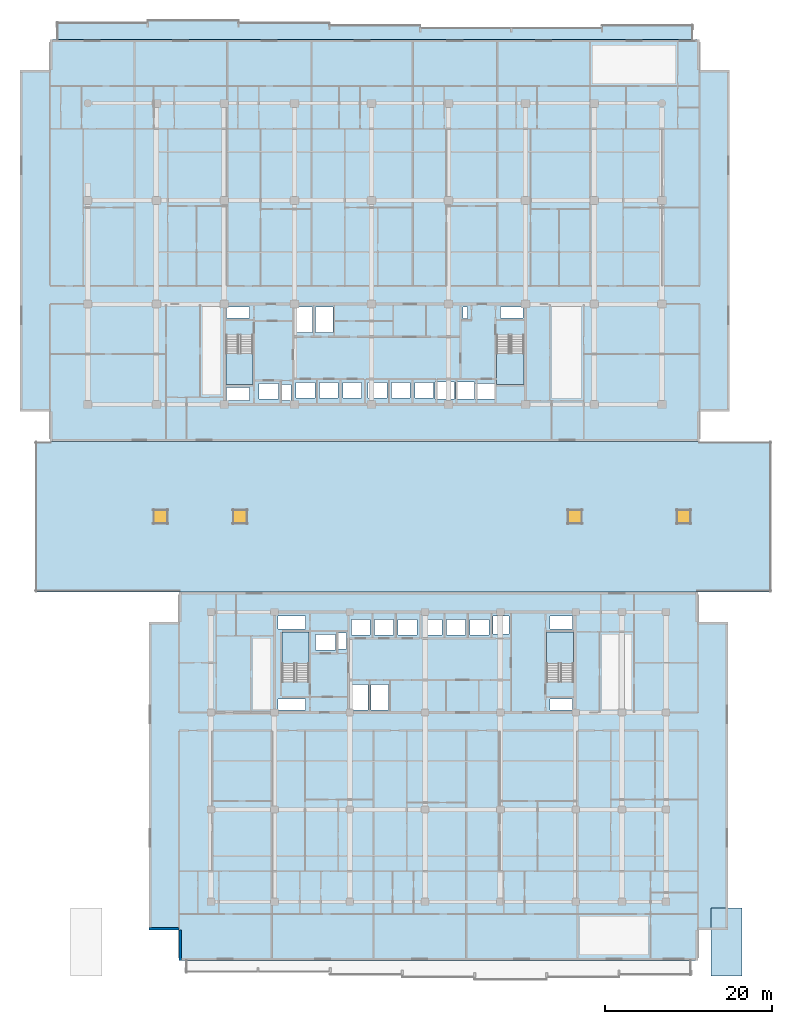
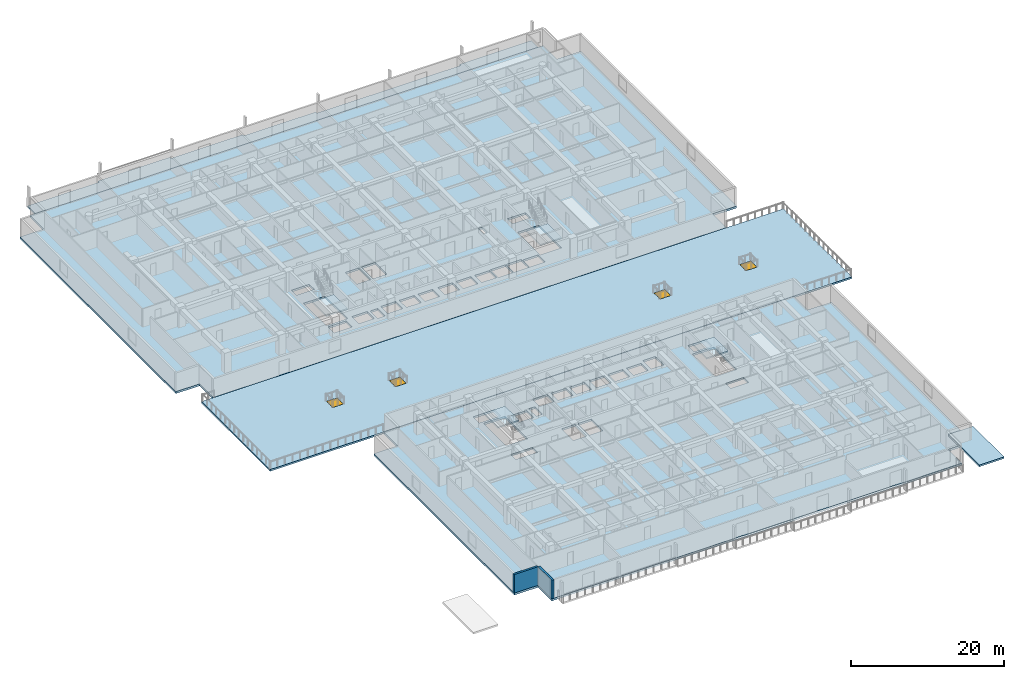
# One storey, part 3 of 24: 9 slabs, 4 windows, 2 walls, 4 openings, 4 elements without a shape of their own.
"""IFC4 building model written with IfcOpenShell, lengths in metres."""

from ifc_helpers import new_model, si_unit, direction, frame, frame_2d, origin, origin_2d, place, context, subcontext, project, spatial, polyline, rectangle, outline, extrude, material, layer, layer_set, type_object, element, fill, aggregate, save


model = new_model("IFC4")

# Units and contexts
model_context = context("Model", 3, precision=1e-05, world=origin(), true_north=direction((0.0, 1.0)))
body_context = subcontext(model_context, "Body", "Model", "MODEL_VIEW")
ifc_project = project(units=[si_unit("LENGTHUNIT", "METRE"), si_unit("AREAUNIT", "SQUARE_METRE"), si_unit("VOLUMEUNIT", "CUBIC_METRE"), si_unit("PLANEANGLEUNIT", "RADIAN"), si_unit("MASSUNIT", "GRAM", prefix="KILO")], contexts=[model_context])

# Site, building, storey
site_placement = place(None, origin())
site = spatial("IfcSite", under=ifc_project, at=site_placement, CompositionType="ELEMENT")
building_placement = place(site_placement, origin())
building = spatial("IfcBuilding", under=site, at=building_placement, Name="Korimba Cascade Residences", CompositionType="ELEMENT")
storey_placement = place(building_placement, frame((0.0, 0.0, 24.0)))
storey = spatial("IfcBuildingStorey", under=building, at=storey_placement, Name="L05", CompositionType="ELEMENT", Elevation=24.0)

# Stair, slab
ifc_material_1 = material(Name="Concrete C50/60", Category="concrete")
stair_type_1 = type_object("IfcStairType", Name="STR-W1-18R-1806", PredefinedType="HALF_TURN_STAIR", material=ifc_material_1)
stair_1_placement = place(storey_placement, origin())
stair_1 = element("IfcStair", 1, at=stair_1_placement, inside=storey, type_object=stair_type_1, Name="L05 Tower 1 West Fire Stair ST-W1", PredefinedType="HALF_TURN_STAIR")
ifc_layer_1 = layer(ifc_material_1, 0.199951171875)
ifc_layer_set_1 = layer_set([ifc_layer_1], Name="Concrete C50/60")
slab_type_1 = type_object("IfcSlabType", Name="SLB-LND-220", PredefinedType="LANDING", material=ifc_layer_set_1)
slab_1_placement = place(storey_placement, frame((0.0, 0.0, 1.425048828125)))
slab_1 = element("IfcSlab", 2, at=slab_1_placement, type_object=slab_type_1, Name="ST-W1 landing 1", PredefinedType="LANDING", context=body_context, shape_type="SweptSolid", body=[
    extrude(outline(polyline([(76.300048828125, 61.31005859375), (76.300048828125, 57.60009765625), (79.5400390625, 57.60009765625), (79.5400390625, 61.31005859375), (76.300048828125, 61.31005859375)])), origin(), (0.0, 0.0, 1.0), 0.199951171875),
])
aggregate(stair_1, [slab_1])

stair_type_2 = type_object("IfcStairType", Name="STR-W2-18R-1806", PredefinedType="HALF_TURN_STAIR", material=ifc_material_1)
stair_2_placement = place(storey_placement, origin())
stair_2 = element("IfcStair", 3, at=stair_2_placement, inside=storey, type_object=stair_type_2, Name="L05 Tower 1 East Fire Stair ST-W2", PredefinedType="HALF_TURN_STAIR")
slab_2_placement = place(storey_placement, frame((0.0, 0.0, 1.425048828125)))
slab_2 = element("IfcSlab", 4, at=slab_2_placement, type_object=slab_type_1, Name="ST-W2 landing 1", PredefinedType="LANDING", context=body_context, shape_type="SweptSolid", body=[
    extrude(outline(polyline([(108.659912109375, 61.31005859375), (108.659912109375, 57.60009765625), (111.89990234375, 57.60009765625), (111.89990234375, 61.31005859375), (108.659912109375, 61.31005859375)])), origin(), (0.0, 0.0, 1.0), 0.199951171875),
])
aggregate(stair_2, [slab_2])

stair_type_3 = type_object("IfcStairType", Name="STR-E1-18R-1806", PredefinedType="HALF_TURN_STAIR", material=ifc_material_1)
stair_3_placement = place(storey_placement, origin())
stair_3 = element("IfcStair", 5, at=stair_3_placement, inside=storey, type_object=stair_type_3, Name="L05 Tower 2 West Fire Stair ST-E1", PredefinedType="HALF_TURN_STAIR")
slab_3_placement = place(storey_placement, frame((0.0, 0.0, 1.425048828125)))
slab_3 = element("IfcSlab", 6, at=slab_3_placement, type_object=slab_type_1, Name="ST-E1 landing 1", PredefinedType="LANDING", context=body_context, shape_type="SweptSolid", body=[
    extrude(outline(polyline([(86.239990234375, 24.2900390625), (86.239990234375, 28.0), (83.0, 28.0), (83.0, 24.2900390625), (86.239990234375, 24.2900390625)])), origin(), (0.0, 0.0, 1.0), 0.199951171875),
])
aggregate(stair_3, [slab_3])

stair_type_4 = type_object("IfcStairType", Name="STR-E2-18R-1806", PredefinedType="HALF_TURN_STAIR", material=ifc_material_1)
stair_4_placement = place(storey_placement, origin())
stair_4 = element("IfcStair", 7, at=stair_4_placement, inside=storey, type_object=stair_type_4, Name="L05 Tower 2 East Fire Stair ST-E2", PredefinedType="HALF_TURN_STAIR")
slab_4_placement = place(storey_placement, frame((0.0, 0.0, 1.425048828125)))
slab_4 = element("IfcSlab", 8, at=slab_4_placement, type_object=slab_type_1, Name="ST-E2 landing 1", PredefinedType="LANDING", context=body_context, shape_type="SweptSolid", body=[
    extrude(outline(polyline([(117.840087890625, 24.2900390625), (117.840087890625, 28.0), (114.60009765625, 28.0), (114.60009765625, 24.2900390625), (117.840087890625, 24.2900390625)])), origin(), (0.0, 0.0, 1.0), 0.199951171875),
])
aggregate(stair_4, [slab_4])

# Slab
ifc_material_2 = material(Name="Precast concrete C40/50", Category="concrete")
ifc_layer_2 = layer(ifc_material_2, 0.239990234375)
ifc_layer_set_2 = layer_set([ifc_layer_2], Name="Precast concrete C40/50")
slab_type_2 = type_object("IfcSlabType", Name="SLB-LOG-240", PredefinedType="FLOOR", material=ifc_layer_set_2)
slab_5_placement = place(storey_placement, frame((0.0, 0.0, -0.239990234375)))
element("IfcSlab", 9, at=slab_5_placement, inside=storey, type_object=slab_type_2, Name="L05 Tower 1 North Loggia Slab", PredefinedType="FLOOR", context=body_context, shape_type="SweptSolid", body=[
    extrude(outline(polyline([(56.10009765625, 98.800048828125), (132.10009765625, 98.800048828125), (132.10009765625, 100.550048828125), (121.242919921875, 100.550048828125), (121.242919921875, 100.25), (99.528564453125, 100.25), (99.528564453125, 100.550048828125), (88.67138671875, 100.550048828125), (88.67138671875, 100.85009765625), (77.814208984375, 100.85009765625), (77.814208984375, 101.14990234375), (66.95703125, 101.14990234375), (66.95703125, 100.85009765625), (56.10009765625, 100.85009765625), (56.10009765625, 98.800048828125)])), origin(), (0.0, 0.0, 1.0), 0.239990234375),
])

# Slab, openings, windows
ifc_layer_3 = layer(ifc_material_1, 0.27001953125)
ifc_layer_set_3 = layer_set([ifc_layer_3], Name="Concrete C50/60")
slab_type_3 = type_object("IfcSlabType", Name="SLB-ROOF-270", PredefinedType="ROOF", material=ifc_layer_set_3)
slab_6_placement = place(storey_placement, frame((0.0, 0.0, -0.27001953125)))
slab_6 = element("IfcSlab", 10, at=slab_6_placement, inside=storey, type_object=slab_type_3, Name="L05 Podium Canyon Roof Terrace Slab", PredefinedType="ROOF", context=body_context, shape_type="SweptSolid", body=[
    extrude(outline(polyline([(53.5, 32.820068359375), (141.5, 32.820068359375), (141.5, 50.780029296875), (53.5, 50.780029296875), (53.5, 32.820068359375)])), origin(), (0.0, 0.0, 1.0), 0.27001953125),
])
opening_1_placement = place(slab_6_placement, frame((68.5, 41.800048828125, 0.0)))
opening_1 = element("IfcOpeningElement", 11, at=opening_1_placement, cuts=slab_6, Name="Opening SK-01", PredefinedType="OPENING", context=body_context, shape_type="SweptSolid", body=[
    extrude(rectangle(XDim=1.60009765625, YDim=1.60009765625, at=origin_2d()), frame((0.0, 0.0, -0.010009765625)), (0.0, 0.0, 1.0), 0.2900390625),
])
opening_2_placement = place(slab_6_placement, frame((78.0, 41.800048828125, 0.0)))
opening_2 = element("IfcOpeningElement", 12, at=opening_2_placement, cuts=slab_6, Name="Opening SK-01", PredefinedType="OPENING", context=body_context, shape_type="SweptSolid", body=[
    extrude(rectangle(XDim=1.60009765625, YDim=1.60009765625, at=origin_2d()), frame((0.0, 0.0, -0.010009765625)), (0.0, 0.0, 1.0), 0.2900390625),
])
opening_3_placement = place(slab_6_placement, frame((118.0, 41.800048828125, 0.0)))
opening_3 = element("IfcOpeningElement", 13, at=opening_3_placement, cuts=slab_6, Name="Opening SK-01", PredefinedType="OPENING", context=body_context, shape_type="SweptSolid", body=[
    extrude(rectangle(XDim=1.60009765625, YDim=1.60009765625, at=origin_2d()), frame((0.0, 0.0, -0.010009765625)), (0.0, 0.0, 1.0), 0.2900390625),
])
opening_4_placement = place(slab_6_placement, frame((131.0, 41.800048828125, 0.0)))
opening_4 = element("IfcOpeningElement", 14, at=opening_4_placement, cuts=slab_6, Name="Opening SK-01", PredefinedType="OPENING", context=body_context, shape_type="SweptSolid", body=[
    extrude(rectangle(XDim=1.60009765625, YDim=1.60009765625, at=origin_2d()), frame((0.0, 0.0, -0.010009765625)), (0.0, 0.0, 1.0), 0.2900390625),
])
ifc_material_3 = material(Name="Double-Glazed Aluminium Window", Category="aluminium")
window_type = type_object("IfcWindowType", Name="WIN-SKY-1600", PartitioningType="SINGLE_PANEL", PredefinedType="SKYLIGHT", material=ifc_material_3)
window_1_placement = place(opening_1_placement, frame((0.0, 0.0, 0.219970703125)))
window_1 = element("IfcWindow", 15, at=window_1_placement, inside=storey, type_object=window_type, Name="L05 Canyon Concourse Roof Skylight 1", OverallHeight=1.60009765625, OverallWidth=1.60009765625, PartitioningType="SINGLE_PANEL", PredefinedType="SKYLIGHT", context=body_context, shape_type="SweptSolid", body=[
    extrude(rectangle(XDim=1.60009765625, YDim=1.60009765625, at=origin_2d()), origin(), (0.0, 0.0, 1.0), 0.050048828125),
])
fill(opening_1, window_1)
window_2_placement = place(opening_2_placement, frame((0.0, 0.0, 0.219970703125)))
window_2 = element("IfcWindow", 16, at=window_2_placement, inside=storey, type_object=window_type, Name="L05 Canyon Concourse Roof Skylight 2", OverallHeight=1.60009765625, OverallWidth=1.60009765625, PartitioningType="SINGLE_PANEL", PredefinedType="SKYLIGHT", context=body_context, shape_type="SweptSolid", body=[
    extrude(rectangle(XDim=1.60009765625, YDim=1.60009765625, at=origin_2d()), origin(), (0.0, 0.0, 1.0), 0.050048828125),
])
fill(opening_2, window_2)
window_3_placement = place(opening_3_placement, frame((0.0, 0.0, 0.219970703125)))
window_3 = element("IfcWindow", 17, at=window_3_placement, inside=storey, type_object=window_type, Name="L05 Canyon Concourse Roof Skylight 3", OverallHeight=1.60009765625, OverallWidth=1.60009765625, PartitioningType="SINGLE_PANEL", PredefinedType="SKYLIGHT", context=body_context, shape_type="SweptSolid", body=[
    extrude(rectangle(XDim=1.60009765625, YDim=1.60009765625, at=origin_2d()), origin(), (0.0, 0.0, 1.0), 0.050048828125),
])
fill(opening_3, window_3)
window_4_placement = place(opening_4_placement, frame((0.0, 0.0, 0.219970703125)))
window_4 = element("IfcWindow", 18, at=window_4_placement, inside=storey, type_object=window_type, Name="L05 Canyon Concourse Roof Skylight 4", OverallHeight=1.60009765625, OverallWidth=1.60009765625, PartitioningType="SINGLE_PANEL", PredefinedType="SKYLIGHT", context=body_context, shape_type="SweptSolid", body=[
    extrude(rectangle(XDim=1.60009765625, YDim=1.60009765625, at=origin_2d()), origin(), (0.0, 0.0, 1.0), 0.050048828125),
])
fill(opening_4, window_4)

# Slabs
slab_7_placement = place(storey_placement, origin())
element("IfcSlab", 19, at=slab_7_placement, inside=storey, type_object=slab_type_3, Name="L05 Podium South-East Exit Stair ST-P6 Roof Slab", PredefinedType="ROOF", context=body_context, shape_type="SweptSolid", body=[
    extrude(outline(polyline([(134.25, -13.050048828125), (137.989990234375, -13.050048828125), (137.989990234375, -4.949951171875), (134.25, -4.949951171875), (134.25, -13.050048828125)])), origin(), (0.0, 0.0, 1.0), 0.27001953125),
])
ifc_material_4 = material(Name="Concrete C65/80", Category="concrete")
ifc_layer_4 = layer(ifc_material_4, 0.320068359375)
ifc_layer_set_4 = layer_set([ifc_layer_4], Name="Concrete C65/80")
slab_type_4 = type_object("IfcSlabType", Name="SLB-TRF-320", PredefinedType="FLOOR", material=ifc_layer_set_4)
slab_8_placement = place(storey_placement, frame((0.0, 0.0, -0.320068359375)))
element("IfcSlab", 20, at=slab_8_placement, inside=storey, type_object=slab_type_4, Name="L05 Tower 1 Floor Slab", PredefinedType="FLOOR", context=body_context, shape_type="SweptSolid", body=[
    extrude(outline(polyline([(55.300048828125, 50.800048828125), (132.89990234375, 50.800048828125), (132.89990234375, 54.39990234375), (136.5, 54.39990234375), (136.5, 95.199951171875), (132.89990234375, 95.199951171875), (132.89990234375, 98.800048828125), (55.300048828125, 98.800048828125), (55.300048828125, 95.199951171875), (51.699951171875, 95.199951171875), (51.699951171875, 54.39990234375), (55.300048828125, 54.39990234375), (55.300048828125, 50.800048828125)]), holes=[polyline([(76.300048828125, 63.514892578125), (76.300048828125, 57.60009765625), (79.5400390625, 57.60009765625), (79.5400390625, 63.514892578125), (76.300048828125, 63.514892578125)]), polyline([(108.659912109375, 63.514892578125), (108.659912109375, 57.60009765625), (111.89990234375, 57.60009765625), (111.89990234375, 63.514892578125), (108.659912109375, 63.514892578125)]), polyline([(80.22998046875, 55.8798828125), (82.570068359375, 55.8798828125), (82.570068359375, 57.719970703125), (80.22998046875, 57.719970703125), (80.22998046875, 55.8798828125)]), polyline([(106.080078125, 55.8798828125), (108.419921875, 55.8798828125), (108.419921875, 57.719970703125), (106.080078125, 57.719970703125), (106.080078125, 55.8798828125)]), polyline([(84.679931640625, 55.97998046875), (86.919921875, 55.97998046875), (86.919921875, 57.820068359375), (84.679931640625, 57.820068359375), (84.679931640625, 55.97998046875)]), polyline([(87.47998046875, 55.97998046875), (89.719970703125, 55.97998046875), (89.719970703125, 57.820068359375), (87.47998046875, 57.820068359375), (87.47998046875, 55.97998046875)]), polyline([(90.280029296875, 55.97998046875), (92.52001953125, 55.97998046875), (92.52001953125, 57.820068359375), (90.280029296875, 57.820068359375), (90.280029296875, 55.97998046875)]), polyline([(93.280029296875, 55.97998046875), (95.52001953125, 55.97998046875), (95.52001953125, 57.820068359375), (93.280029296875, 57.820068359375), (93.280029296875, 55.97998046875)]), polyline([(96.080078125, 55.97998046875), (98.320068359375, 55.97998046875), (98.320068359375, 57.820068359375), (96.080078125, 57.820068359375), (96.080078125, 55.97998046875)]), polyline([(98.8798828125, 55.97998046875), (101.1201171875, 55.97998046875), (101.1201171875, 57.820068359375), (98.8798828125, 57.820068359375), (98.8798828125, 55.97998046875)]), polyline([(101.304931640625, 55.8798828125), (103.594970703125, 55.8798828125), (103.594970703125, 57.919921875), (101.304931640625, 57.919921875), (101.304931640625, 55.8798828125)]), polyline([(103.705078125, 55.8798828125), (105.9951171875, 55.8798828125), (105.9951171875, 57.919921875), (103.705078125, 57.919921875), (103.705078125, 55.8798828125)]), polyline([(82.97998046875, 55.679931640625), (84.080078125, 55.679931640625), (84.080078125, 57.6201171875), (82.97998046875, 57.6201171875), (82.97998046875, 55.679931640625)]), polyline([(76.39990234375, 65.56005859375), (79.10009765625, 65.56005859375), (79.10009765625, 66.8798828125), (76.39990234375, 66.8798828125), (76.39990234375, 65.56005859375)]), polyline([(76.39990234375, 55.679931640625), (79.10009765625, 55.679931640625), (79.10009765625, 57.239990234375), (76.39990234375, 57.239990234375), (76.39990234375, 55.679931640625)]), polyline([(84.530029296875, 63.820068359375), (86.6201171875, 63.820068359375), (86.6201171875, 66.8798828125), (84.530029296875, 66.8798828125), (84.530029296875, 63.820068359375)]), polyline([(86.97998046875, 63.820068359375), (89.070068359375, 63.820068359375), (89.070068359375, 66.8798828125), (86.97998046875, 66.8798828125), (86.97998046875, 63.820068359375)]), polyline([(104.6201171875, 65.4599609375), (105.179931640625, 65.4599609375), (105.179931640625, 66.8798828125), (104.6201171875, 66.8798828125), (104.6201171875, 65.4599609375)]), polyline([(109.080078125, 65.56005859375), (111.800048828125, 65.56005859375), (111.800048828125, 66.8798828125), (109.080078125, 66.8798828125), (109.080078125, 65.56005859375)])]), origin(), (0.0, 0.0, 1.0), 0.320068359375),
])
slab_9_placement = place(storey_placement, frame((0.0, 0.0, -0.320068359375)))
element("IfcSlab", 21, at=slab_9_placement, inside=storey, type_object=slab_type_4, Name="L05 Tower 2 Floor Slab", PredefinedType="FLOOR", context=body_context, shape_type="SweptSolid", body=[
    extrude(outline(polyline([(70.699951171875, -11.199951171875), (132.699951171875, -11.199951171875), (132.699951171875, -7.60009765625), (136.300048828125, -7.60009765625), (136.300048828125, 29.199951171875), (132.699951171875, 29.199951171875), (132.699951171875, 32.800048828125), (70.699951171875, 32.800048828125), (70.699951171875, 29.199951171875), (67.10009765625, 29.199951171875), (67.10009765625, -7.60009765625), (70.699951171875, -7.60009765625), (70.699951171875, -11.199951171875)]), holes=[polyline([(86.239990234375, 22.0849609375), (86.239990234375, 28.0), (83.0, 28.0), (83.0, 22.0849609375), (86.239990234375, 22.0849609375)]), polyline([(117.840087890625, 22.0849609375), (117.840087890625, 28.0), (114.60009765625, 28.0), (114.60009765625, 22.0849609375), (117.840087890625, 22.0849609375)]), polyline([(87.030029296875, 25.8798828125), (89.3701171875, 25.8798828125), (89.3701171875, 27.719970703125), (87.030029296875, 27.719970703125), (87.030029296875, 25.8798828125)]), polyline([(91.280029296875, 27.679931640625), (93.52001953125, 27.679931640625), (93.52001953125, 29.52001953125), (91.280029296875, 29.52001953125), (91.280029296875, 27.679931640625)]), polyline([(94.080078125, 27.679931640625), (96.320068359375, 27.679931640625), (96.320068359375, 29.52001953125), (94.080078125, 29.52001953125), (94.080078125, 27.679931640625)]), polyline([(96.8798828125, 27.679931640625), (99.1201171875, 27.679931640625), (99.1201171875, 29.52001953125), (96.8798828125, 29.52001953125), (96.8798828125, 27.679931640625)]), polyline([(99.8798828125, 27.679931640625), (102.1201171875, 27.679931640625), (102.1201171875, 29.52001953125), (99.8798828125, 29.52001953125), (99.8798828125, 27.679931640625)]), polyline([(102.679931640625, 27.679931640625), (104.919921875, 27.679931640625), (104.919921875, 29.52001953125), (102.679931640625, 29.52001953125), (102.679931640625, 27.679931640625)]), polyline([(105.47998046875, 27.679931640625), (107.719970703125, 27.679931640625), (107.719970703125, 29.52001953125), (105.47998046875, 29.52001953125), (105.47998046875, 27.679931640625)]), polyline([(89.780029296875, 25.97998046875), (90.719970703125, 25.97998046875), (90.719970703125, 27.919921875), (89.780029296875, 27.919921875), (89.780029296875, 25.97998046875)]), polyline([(82.530029296875, 18.72998046875), (85.800048828125, 18.72998046875), (85.800048828125, 20.0400390625), (82.530029296875, 20.0400390625), (82.530029296875, 18.72998046875)]), polyline([(82.530029296875, 28.360107421875), (85.800048828125, 28.360107421875), (85.800048828125, 29.969970703125), (82.530029296875, 29.969970703125), (82.530029296875, 28.360107421875)]), polyline([(108.22998046875, 27.780029296875), (110.1201171875, 27.780029296875), (110.1201171875, 29.969970703125), (108.22998046875, 29.969970703125), (108.22998046875, 27.780029296875)]), polyline([(91.22998046875, 18.72998046875), (93.27001953125, 18.72998046875), (93.27001953125, 21.780029296875), (91.22998046875, 21.780029296875), (91.22998046875, 18.72998046875)]), polyline([(93.6298828125, 18.72998046875), (95.719970703125, 18.72998046875), (95.719970703125, 21.780029296875), (93.6298828125, 21.780029296875), (93.6298828125, 18.72998046875)]), polyline([(115.02001953125, 18.72998046875), (117.739990234375, 18.72998046875), (117.739990234375, 20.0400390625), (115.02001953125, 20.0400390625), (115.02001953125, 18.72998046875)]), polyline([(115.02001953125, 28.360107421875), (117.739990234375, 28.360107421875), (117.739990234375, 29.969970703125), (115.02001953125, 29.969970703125), (115.02001953125, 28.360107421875)])]), origin(), (0.0, 0.0, 1.0), 0.320068359375),
])

# Walls
ifc_layer_5 = layer(ifc_material_2, 0.300048828125)
ifc_layer_set_5 = layer_set([ifc_layer_5], Name="Precast concrete C40/50")
wall_type = type_object("IfcWallType", Name="EW-STONE-300", PredefinedType="STANDARD", material=ifc_layer_set_5)
for number, where, z_axis, x_axis, name in (
    (22, (67.10009765625, -7.449951171875, 0.0), (0.0, 0.0, 1.0), (1.0, 0.0, 0.0), "L05 T2 Perimeter Stone Wall E10"),
    (23, (70.85009765625, -7.60009765625, 0.0), (0.0, 0.0, 1.0), (0.0, -1.0, 0.0), "L05 T2 Perimeter Stone Wall E11"),
):
    element("IfcWall", number, at=place(storey_placement, frame(where, z_axis=z_axis, x_axis=x_axis)), inside=storey, type_object=wall_type, Name=name, PredefinedType="STANDARD", context=body_context, shape_type="SweptSolid", body=[
        extrude(rectangle(XDim=3.599853515625, YDim=0.300048828125, at=frame_2d((1.7998046875, 0.0))), origin(), (0.0, 0.0, 1.0), 2.969970703125),
    ])

save(model, "model.ifc")
